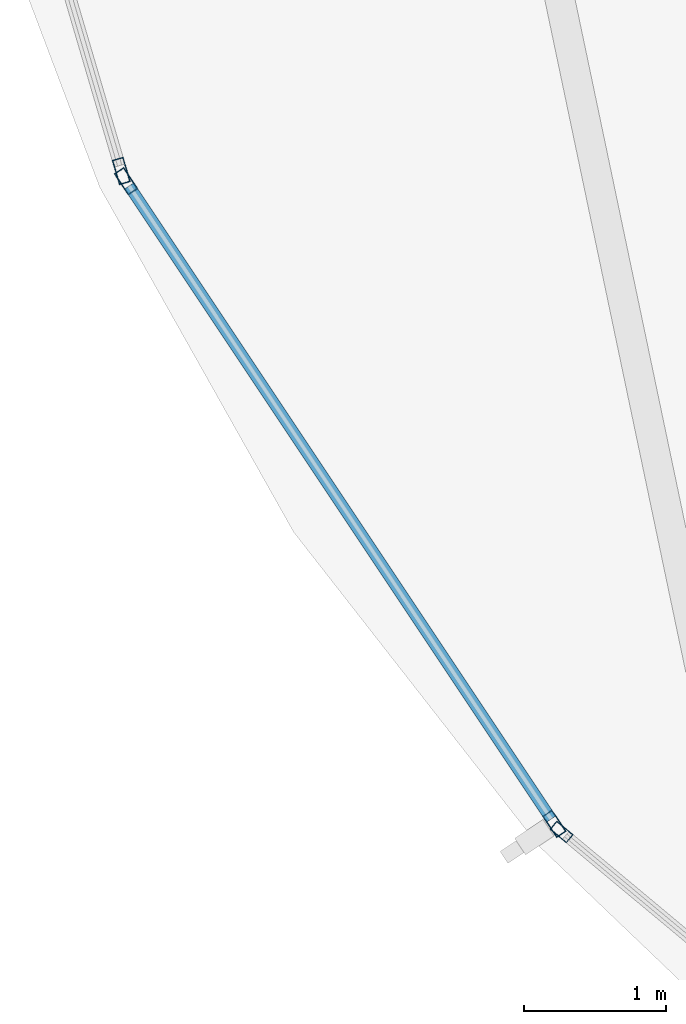
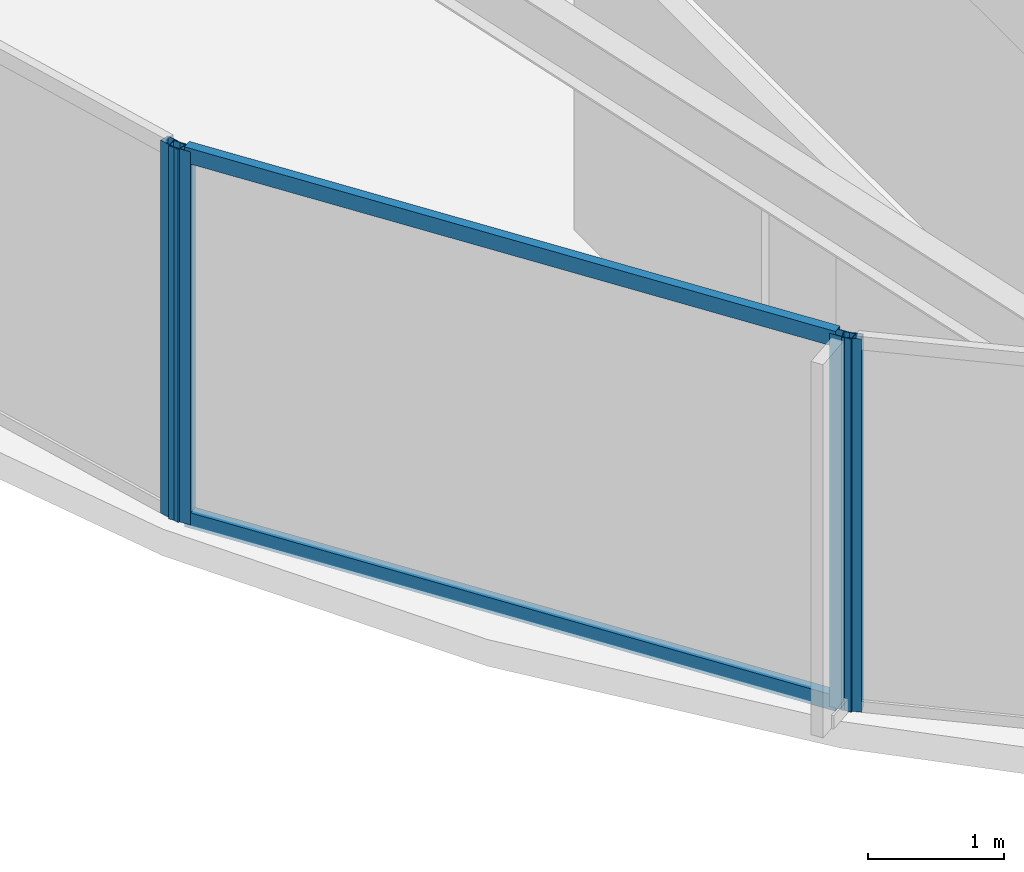
# One storey, part 3 of 29: 6 members, 3 elements without a shape of their own.
"""IFC4 building model written with IfcOpenShell, lengths in metres."""

import ifcopenshell
import ifcopenshell.guid

model = None  # the IFC model being written
_history = None  # IfcOwnerHistory: only IFC2X3 demands one
_inside = {}  # id of a spatial element -> (the spatial element, [elements in it])
_under = {}  # id of a project, library or spatial element -> (it, [spatial elements below it])
_declared = {}  # id of a project -> (the project, [libraries it declares])
_typed = {}  # id of a type object -> (the type object, [elements of that type])
_made_of = {}  # id of a material, layer set ... -> (it, [elements and type objects made of it])


def new_model(schema):
    """Start an empty IFC model of exactly this schema.

    Asked for "IFC4X3", IfcOpenShell would pick the latest addendum, in which some entities
    have other attributes; the version numbers below select the first issue.
    IFC2X3 requires an IfcOwnerHistory on every rooted entity: one is made here for all.
    """
    global model, _history
    if schema == "IFC4X3":
        model = ifcopenshell.file(schema_version=(4, 3, 0, 0))
    else:
        model = ifcopenshell.file(schema=schema)
    _inside.clear()
    _under.clear()
    _declared.clear()
    _typed.clear()
    _made_of.clear()
    _history = None
    if model.schema == "IFC2X3":
        org = make("IfcOrganization", Name="unknown")
        user = make(
            "IfcPersonAndOrganization",
            ThePerson=make("IfcPerson", FamilyName="unknown"),
            TheOrganization=org,
        )
        app = make(
            "IfcApplication",
            ApplicationDeveloper=org,
            Version="unknown",
            ApplicationFullName="unknown",
            ApplicationIdentifier="unknown",
        )
        _history = make(
            "IfcOwnerHistory",
            OwningUser=user,
            OwningApplication=app,
            ChangeAction="ADDED",
            CreationDate=0,
        )
    return model


def make(cls, **values):
    """One entity of the class cls with the attributes given. An attribute that is None is left unset."""
    return model.create_entity(
        cls, **{name: value for name, value in values.items() if value is not None}
    )


def rooted(cls, **values):
    """An entity with a GlobalId (a new one), such as an element, a storey or a relation."""
    return make(cls, GlobalId=ifcopenshell.guid.new(), OwnerHistory=_history, **values)


def si_unit(unit_type, name, prefix=None):
    """IfcSIUnit, for example si_unit("LENGTHUNIT", "METRE", prefix="MILLI")."""
    return make("IfcSIUnit", UnitType=unit_type, Prefix=prefix, Name=name)


def assignment(units):
    """IfcUnitAssignment: the units of a project."""
    return None if units is None else make("IfcUnitAssignment", Units=units)


def point(xyz):
    """IfcCartesianPoint."""
    return None if xyz is None else make("IfcCartesianPoint", Coordinates=xyz)


def direction(xyz):
    """IfcDirection."""
    return None if xyz is None else make("IfcDirection", DirectionRatios=xyz)


def frame(location, z_axis=None, x_axis=None):
    """IfcAxis2Placement3D, a coordinate frame: its origin and axes. An axis left out is left unset."""
    return make(
        "IfcAxis2Placement3D",
        Location=point(location),
        Axis=direction(z_axis),
        RefDirection=direction(x_axis),
    )


def frame_2d(location, x_axis=None):
    """IfcAxis2Placement2D, a coordinate frame in the plane: its origin and x axis."""
    return make(
        "IfcAxis2Placement2D", Location=point(location), RefDirection=direction(x_axis)
    )


def origin():
    """The frame at (0, 0, 0) with its axes left unset."""
    return frame((0.0, 0.0, 0.0))


def origin_2d():
    """The frame at (0, 0) in the plane with its x axis left unset."""
    return frame_2d((0.0, 0.0))


def place(relative_to, where):
    """IfcLocalPlacement: puts the frame where relative to a parent placement (None: the world)."""
    return make(
        "IfcLocalPlacement", PlacementRelTo=relative_to, RelativePlacement=where
    )


def context(
    kind, dimensions, precision=None, world=None, true_north=None, identifier=None
):
    """IfcGeometricRepresentationContext, for example the 3D "Model" context."""
    return make(
        "IfcGeometricRepresentationContext",
        ContextIdentifier=identifier,
        ContextType=kind,
        CoordinateSpaceDimension=dimensions,
        Precision=precision,
        WorldCoordinateSystem=world,
        TrueNorth=true_north,
    )


def subcontext(parent, identifier, kind, view, scale=None):
    """IfcGeometricRepresentationSubContext, for example "Body" below "Model"."""
    return make(
        "IfcGeometricRepresentationSubContext",
        ContextIdentifier=identifier,
        ContextType=kind,
        ParentContext=parent,
        TargetScale=scale,
        TargetView=view,
    )


def project(units=None, contexts=None):
    """IfcProject with its units and contexts."""
    return rooted(
        "IfcProject",
        Name="project",
        RepresentationContexts=contexts,
        UnitsInContext=assignment(units),
    )


def spatial(cls, under=None, at=None, **own):
    """A site, building, storey or space (cls), placed at a placement, below another one or the project."""
    s = rooted(cls, ObjectPlacement=at, **own)
    if under is not None:
        _under.setdefault(under.id(), (under, []))[1].append(s)
    return s


def profile(cls, at=None, kind="AREA", **sizes):
    """A parametric profile (cls). Its sizes go by their IFC names, for example OverallWidth=200.0."""
    return make(cls, ProfileType=kind, Position=at, **sizes)


def hollow_rectangle(**sizes):
    """IfcRectangleHollowProfileDef."""
    return profile("IfcRectangleHollowProfileDef", **sizes)


def extrude(swept, where, along, depth):
    """IfcExtrudedAreaSolid: the profile swept, set in the frame where, extruded along a direction by depth."""
    return make(
        "IfcExtrudedAreaSolid",
        SweptArea=swept,
        Position=where,
        ExtrudedDirection=direction(along),
        Depth=depth,
    )


def shape(context_of_items, identifier, shape_type, items):
    """IfcShapeRepresentation: the items that make up one representation, for example the "Body"."""
    return make(
        "IfcShapeRepresentation",
        ContextOfItems=context_of_items,
        RepresentationIdentifier=identifier,
        RepresentationType=shape_type,
        Items=items,
    )


def material(Name=None, Category=None):
    """IfcMaterial."""
    return make("IfcMaterial", Name=Name, Category=Category)


def layer(
    of_material, thickness, ventilated=None, Name=None, Category=None, Priority=None
):
    """IfcMaterialLayer: one layer of a wall or slab, of a material (None: an air gap)."""
    return make(
        "IfcMaterialLayer",
        Material=of_material,
        LayerThickness=thickness,
        IsVentilated=ventilated,
        Name=Name,
        Category=Category,
        Priority=Priority,
    )


def layer_set(layers, Name=None):
    """IfcMaterialLayerSet."""
    return make("IfcMaterialLayerSet", MaterialLayers=layers, LayerSetName=Name)


def material_profile(
    of_material, cross_section, Name=None, Category=None, Priority=None
):
    """IfcMaterialProfile: a cross section and its material."""
    return make(
        "IfcMaterialProfile",
        Name=Name,
        Material=of_material,
        Profile=cross_section,
        Priority=Priority,
        Category=Category,
    )


def profile_set(profiles, Name=None, composite=None):
    """IfcMaterialProfileSet."""
    return make(
        "IfcMaterialProfileSet",
        Name=Name,
        MaterialProfiles=profiles,
        CompositeProfile=composite,
    )


def made_of(thing, what):
    """Note that an element or type object is made of a material, layer set ...; save() writes the relation."""
    if what is not None:
        _made_of.setdefault(what.id(), (what, []))[1].append(thing)
    return thing


def type_object(cls, material=None, **own):
    """A type object (cls), such as IfcWallType, which elements share."""
    return made_of(rooted(cls, **own), material)


def element(
    cls,
    number,
    at=None,
    inside=None,
    cuts=None,
    type_object=None,
    material=None,
    context=None,
    identifier="Body",
    shape_type=None,
    held_by="IfcProductDefinitionShape",
    body=None,
    shapes=None,
    **own,
):
    """One element of the class cls, such as IfcWall. Its Tag is "e" and its number.

    at: its placement. inside: the storey or other place that contains it. cuts: it is an
    opening in that element (IfcRelVoidsElement). A single representation is given by context,
    identifier, shape_type and body (its items); several are given by shapes. held_by: the class
    of the entity that holds the representations. save() writes the other relations.
    """
    e = rooted(cls, Tag="e%d" % number, ObjectPlacement=at, **own)
    if body is not None:
        shapes = [shape(context, identifier, shape_type, body)]
    if shapes is not None:
        e.Representation = make(held_by, Representations=shapes)
    if inside is not None:
        _inside.setdefault(inside.id(), (inside, []))[1].append(e)
    if cuts is not None:
        rooted(
            "IfcRelVoidsElement", RelatingBuildingElement=cuts, RelatedOpeningElement=e
        )
    if type_object is not None:
        _typed.setdefault(type_object.id(), (type_object, []))[1].append(e)
    return made_of(e, material)


def aggregate(whole, parts):
    """IfcRelAggregates: a whole, such as a stair, and the parts it consists of."""
    return rooted("IfcRelAggregates", RelatingObject=whole, RelatedObjects=parts)


def save(model, path):
    """Write the relations noted so far, then the file.

    IfcRelAggregates (storeys below a building ...), IfcRelContainedInSpatialStructure (elements
    in a storey), IfcRelDefinesByType, IfcRelAssociatesMaterial and IfcRelDeclares: one each for
    every whole, place, type object, material and project.
    """
    for whole, parts in _under.values():
        aggregate(whole, parts)
    for where, things in _inside.values():
        rooted(
            "IfcRelContainedInSpatialStructure",
            RelatedElements=things,
            RelatingStructure=where,
        )
    for kind, things in _typed.values():
        rooted("IfcRelDefinesByType", RelatedObjects=things, RelatingType=kind)
    for what, things in _made_of.values():
        rooted("IfcRelAssociatesMaterial", RelatedObjects=things, RelatingMaterial=what)
    for by, libraries in _declared.values():
        rooted("IfcRelDeclares", RelatingContext=by, RelatedDefinitions=libraries)
    model.write(path)


model = new_model("IFC4")

# Units and contexts
model_context = context("Model", 3, precision=1e-05, world=origin(), true_north=direction((0.0, 1.0)))
body_context = subcontext(model_context, "Body", "Model", "MODEL_VIEW")
ifc_project = project(units=[si_unit("LENGTHUNIT", "METRE"), si_unit("AREAUNIT", "SQUARE_METRE"), si_unit("VOLUMEUNIT", "CUBIC_METRE"), si_unit("PLANEANGLEUNIT", "RADIAN"), si_unit("MASSUNIT", "GRAM", prefix="KILO")], contexts=[model_context])

# Site, building, storey
site_placement = place(None, origin())
site = spatial("IfcSite", under=ifc_project, at=site_placement, CompositionType="ELEMENT")
building_placement = place(site_placement, origin())
building = spatial("IfcBuilding", under=site, at=building_placement, Name="Kazevale Care Tower and Concert Hall", CompositionType="ELEMENT")
storey_placement = place(building_placement, frame((0.0, 0.0, 213.60009765625)))
storey = spatial("IfcBuildingStorey", under=building, at=storey_placement, Name="L56", CompositionType="ELEMENT", Elevation=213.60009765625)

# Curtain wall, members
ifc_material_1 = material(Name="Aluminium 6063-T6 and Low-E Glass", Category="aluminium")
ifc_layer_1 = layer(ifc_material_1, 0.179931640625)
ifc_layer_set_1 = layer_set([ifc_layer_1], Name="Aluminium 6063-T6 and Low-E Glass")
curtain_wall_type_1 = type_object("IfcCurtainWallType", Name="Waist & Upper Residential Curtain Wall CW-4", PredefinedType="NOTDEFINED", material=ifc_layer_set_1)
curtain_wall_1_placement = place(storey_placement, origin())
curtain_wall_1 = element("IfcCurtainWall", 1, at=curtain_wall_1_placement, inside=storey, type_object=curtain_wall_type_1, Name="cw:L56:f11", PredefinedType="NOTDEFINED")
ifc_material_2 = material(Name="Aluminium 6063-T6", Category="aluminium")
ifc_material_profile_1 = material_profile(ifc_material_2, hollow_rectangle(XDim=0.080078125, YDim=0.179931640625, WallThickness=0.0048828125, at=origin_2d()), Name="ALU80x180x5")
ifc_profile_set_1 = profile_set([ifc_material_profile_1], Name="Aluminium 6063-T6")
member_type_1 = type_object("IfcMemberType", Name="CW-4 Mullion ALU80x180x5", PredefinedType="MULLION", material=ifc_profile_set_1)
member_1_placement = place(storey_placement, frame((18.185791015625, 25.26318359375, 0.0), z_axis=(0.0, 0.0, 1.0), x_axis=(-0.832106058512, -0.554616540853, 0.0)))
member_1 = element("IfcMember", 2, at=member_1_placement, type_object=member_type_1, Name="CW-4 mullion 1", PredefinedType="MULLION", context=body_context, shape_type="SweptSolid", body=[
    extrude(hollow_rectangle(XDim=0.080078125, YDim=0.179931640625, WallThickness=0.0048828125, at=origin_2d()), origin(), (0.0, 0.0, 1.0), 3.35986328125),
])
member_2_placement = place(storey_placement, frame((15.170166015625, 29.78759765625, 0.0), z_axis=(0.0, 0.0, 1.0), x_axis=(-0.832106058512, -0.554616540853, 0.0)))
member_2 = element("IfcMember", 3, at=member_2_placement, type_object=member_type_1, Name="CW-4 mullion 2", PredefinedType="MULLION", context=body_context, shape_type="SweptSolid", body=[
    extrude(hollow_rectangle(XDim=0.080078125, YDim=0.179931640625, WallThickness=0.0048828125, at=origin_2d()), origin(), (0.0, 0.0, 1.0), 3.35986328125),
])

# Curtain wall, member
curtain_wall_2_placement = place(storey_placement, origin())
curtain_wall_2 = element("IfcCurtainWall", 4, at=curtain_wall_2_placement, inside=storey, type_object=curtain_wall_type_1, Name="cw:L56:f12", PredefinedType="NOTDEFINED")
member_3_placement = place(storey_placement, frame((15.13671875, 29.859375, 0.0), z_axis=(0.0, 0.0, 1.0), x_axis=(-0.959385539982, -0.282098184457, 0.0)))
member_3 = element("IfcMember", 5, at=member_3_placement, type_object=member_type_1, Name="CW-4 mullion 1", PredefinedType="MULLION", context=body_context, shape_type="SweptSolid", body=[
    extrude(hollow_rectangle(XDim=0.080078125, YDim=0.179931640625, WallThickness=0.0048828125, at=origin_2d()), origin(), (0.0, 0.0, 1.0), 3.35986328125),
])
aggregate(curtain_wall_2, [member_3])

# Member
ifc_material_profile_2 = material_profile(ifc_material_2, hollow_rectangle(XDim=0.080078125, YDim=0.139892578125, WallThickness=0.00390625, at=origin_2d()), Name="ALU80x140x4")
ifc_profile_set_2 = profile_set([ifc_material_profile_2], Name="Aluminium 6063-T6")
member_type_2 = type_object("IfcMemberType", Name="CW-4 Transom ALU80x140x4", PredefinedType="USERDEFINED", material=ifc_profile_set_2)
member_4_placement = place(storey_placement, frame((18.16357421875, 25.296630859375, 0.039794921875), z_axis=(-0.554616059735, 0.832106379187, 0.0), x_axis=(-0.832106379187, -0.554616059735, 0.0)))
member_4 = element("IfcMember", 6, at=member_4_placement, type_object=member_type_2, Name="CW-4 transom 1.1", ObjectType="TRANSOM", PredefinedType="USERDEFINED", context=body_context, shape_type="SweptSolid", body=[
    extrude(hollow_rectangle(XDim=0.080078125, YDim=0.139892578125, WallThickness=0.00390625, at=origin_2d()), origin(), (0.0, 0.0, 1.0), 5.357177734375),
])

member_5_placement = place(storey_placement, frame((18.16357421875, 25.296630859375, 3.31982421875), z_axis=(-0.554616059735, 0.832106379187, 0.0), x_axis=(-0.832106379187, -0.554616059735, 0.0)))
member_5 = element("IfcMember", 7, at=member_5_placement, type_object=member_type_2, Name="CW-4 transom 1.2", ObjectType="TRANSOM", PredefinedType="USERDEFINED", context=body_context, shape_type="SweptSolid", body=[
    extrude(hollow_rectangle(XDim=0.080078125, YDim=0.139892578125, WallThickness=0.00390625, at=origin_2d()), origin(), (0.0, 0.0, 1.0), 5.357177734375),
])

aggregate(curtain_wall_1, [member_1, member_2, member_4, member_5])

# Curtain wall, member
ifc_layer_2 = layer(ifc_material_1, 0.179931640625)
ifc_layer_set_2 = layer_set([ifc_layer_2], Name="Aluminium 6063-T6 and Low-E Glass")
curtain_wall_type_2 = type_object("IfcCurtainWallType", Name="Sheltered Concave Balcony Curtain Wall CW-5", PredefinedType="NOTDEFINED", material=ifc_layer_set_2)
curtain_wall_3_placement = place(storey_placement, origin())
curtain_wall_3 = element("IfcCurtainWall", 8, at=curtain_wall_3_placement, inside=storey, type_object=curtain_wall_type_2, Name="cw:L56:f10", PredefinedType="NOTDEFINED")
ifc_material_profile_3 = material_profile(ifc_material_2, hollow_rectangle(XDim=0.074951171875, YDim=0.14990234375, WallThickness=0.00390625, at=origin_2d()), Name="ALU75x150x4")
ifc_profile_set_3 = profile_set([ifc_material_profile_3], Name="Aluminium 6063-T6")
member_type_3 = type_object("IfcMemberType", Name="CW-5 Mullion ALU75x150x4", PredefinedType="MULLION", material=ifc_profile_set_3)
member_6_placement = place(storey_placement, frame((18.23681640625, 25.2060546875, 0.0), z_axis=(0.0, 0.0, 1.0), x_axis=(-0.639961217204, -0.768407210062, 0.0)))
member_6 = element("IfcMember", 9, at=member_6_placement, type_object=member_type_3, Name="CW-5 mullion 2", PredefinedType="MULLION", context=body_context, shape_type="SweptSolid", body=[
    extrude(hollow_rectangle(XDim=0.074951171875, YDim=0.14990234375, WallThickness=0.00390625, at=origin_2d()), origin(), (0.0, 0.0, 1.0), 3.35986328125),
])
aggregate(curtain_wall_3, [member_6])

save(model, "model.ifc")
